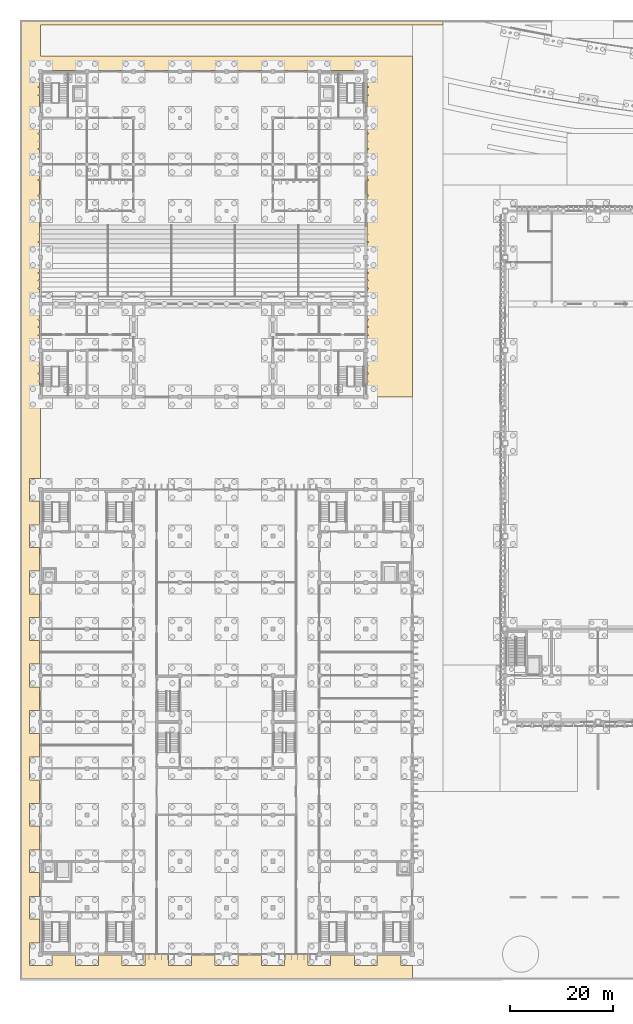
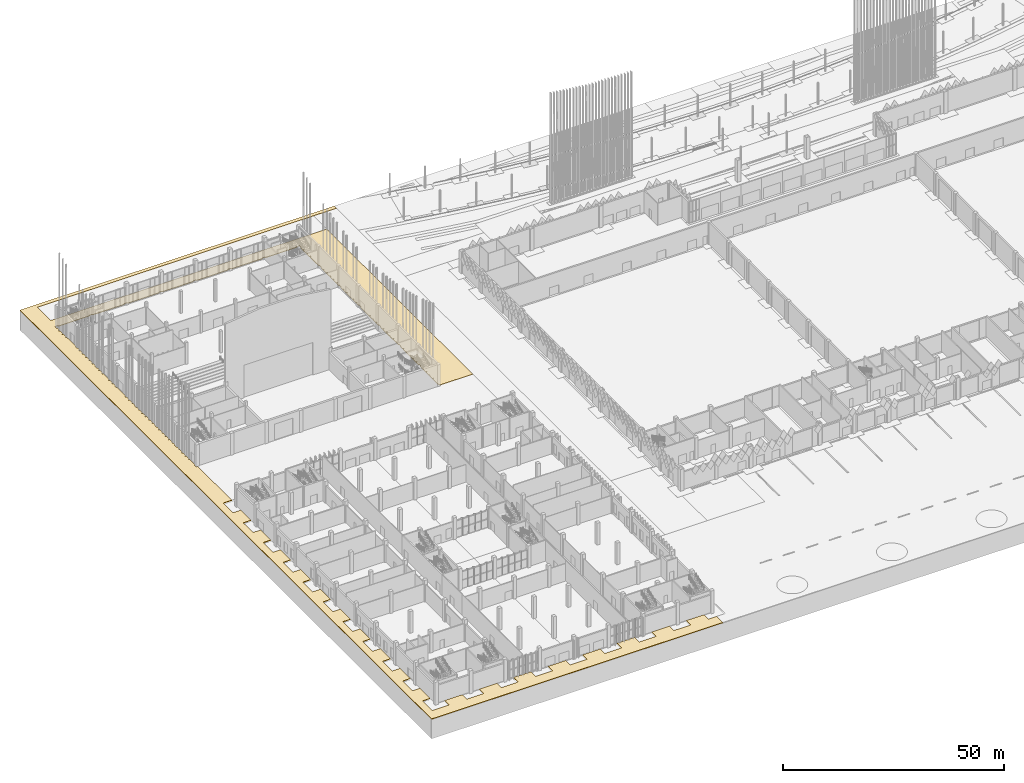
# One storey, part 146 of 198: 1 covering.
"""IFC4 building model written with IfcOpenShell, lengths in metres."""

from ifc_helpers import new_model, si_unit, direction, frame, origin, place, context, subcontext, project, spatial, polyline, outline, extrude, material, layer, layer_set, type_object, element, save


model = new_model("IFC4")

# Units and contexts
model_context = context("Model", 3, precision=1e-05, world=origin(), true_north=direction((0.0, 1.0)))
body_context = subcontext(model_context, "Body", "Model", "MODEL_VIEW")
ifc_project = project(units=[si_unit("LENGTHUNIT", "METRE"), si_unit("AREAUNIT", "SQUARE_METRE"), si_unit("VOLUMEUNIT", "CUBIC_METRE"), si_unit("PLANEANGLEUNIT", "RADIAN"), si_unit("MASSUNIT", "GRAM", prefix="KILO")], contexts=[model_context])

# Site, building, storey
site_placement = place(None, origin())
site = spatial("IfcSite", under=ifc_project, at=site_placement, CompositionType="ELEMENT")
building_placement = place(site_placement, origin())
building = spatial("IfcBuilding", under=site, at=building_placement, Name="Opaline Strait Convention Centre", CompositionType="ELEMENT")
storey_placement = place(building_placement, origin())
storey = spatial("IfcBuildingStorey", under=building, at=storey_placement, Name="L00", CompositionType="ELEMENT", Elevation=0.0)

# Covering
ifc_material = material(Name="Concrete C30 exposed aggregate", Category="concrete")
ifc_layer = layer(ifc_material, 0.14990234375)
ifc_layer_set = layer_set([ifc_layer], Name="Concrete C30 exposed aggregate")
covering_type = type_object("IfcCoveringType", Name="Site paving 150", PredefinedType="FLOORING", material=ifc_layer_set)
covering_placement = place(storey_placement, frame((0.0, 0.0, -0.14990234375)))
element("IfcCovering", 1, at=covering_placement, inside=storey, type_object=covering_type, Name="Site paving surfacing", PredefinedType="FLOORING", context=body_context, shape_type="SweptSolid", body=[
    extrude(outline(polyline([(87.0, 190.0), (5.0, 190.0), (5.0, 4.0), (81.0, 4.0), (81.0, 6.794921875), (78.794921875, 6.794921875), (78.794921875, 8.794921875), (74.205078125, 8.794921875), (74.205078125, 6.794921875), (69.794921875, 6.794921875), (69.794921875, 8.794921875), (65.205078125, 8.794921875), (65.205078125, 6.794921875), (60.794921875, 6.794921875), (60.794921875, 8.89501953125), (56.205078125, 8.89501953125), (56.205078125, 6.794921875), (51.794921875, 6.794921875), (51.794921875, 8.794921875), (47.205078125, 8.794921875), (47.205078125, 6.794921875), (42.794921875, 6.794921875), (42.794921875, 8.794921875), (38.205078125, 8.794921875), (38.205078125, 6.794921875), (33.794921875, 6.794921875), (33.794921875, 8.89501953125), (29.205078125, 8.89501953125), (29.205078125, 6.794921875), (24.794921875, 6.794921875), (24.794921875, 8.794921875), (20.205078125, 8.794921875), (20.205078125, 6.794921875), (15.794921875, 6.794921875), (15.794921875, 8.794921875), (11.205078125, 8.794921875), (11.205078125, 6.794921875), (6.794921875, 6.794921875), (6.794921875, 11.205078125), (8.794921875, 11.205078125), (8.794921875, 15.794921875), (6.794921875, 15.794921875), (6.794921875, 20.205078125), (8.794921875, 20.205078125), (8.794921875, 24.794921875), (6.794921875, 24.794921875), (6.794921875, 29.205078125), (8.794921875, 29.205078125), (8.794921875, 33.794921875), (6.794921875, 33.794921875), (6.794921875, 38.205078125), (8.794921875, 38.205078125), (8.794921875, 42.794921875), (6.794921875, 42.794921875), (6.794921875, 47.205078125), (8.794921875, 47.205078125), (8.794921875, 51.794921875), (6.794921875, 51.794921875), (6.794921875, 56.205078125), (8.794921875, 56.205078125), (8.794921875, 60.794921875), (6.794921875, 60.794921875), (6.794921875, 65.205078125), (8.794921875, 65.205078125), (8.794921875, 69.794921875), (6.794921875, 69.794921875), (6.794921875, 74.205078125), (8.794921875, 74.205078125), (8.794921875, 78.794921875), (6.794921875, 78.794921875), (6.794921875, 83.205078125), (8.794921875, 83.205078125), (8.794921875, 87.794921875), (6.794921875, 87.794921875), (6.794921875, 92.205078125), (8.794921875, 92.205078125), (8.794921875, 96.794921875), (6.794921875, 96.794921875), (6.794921875, 101.205078125), (9.0, 101.205078125), (9.0, 116.594970703125), (8.594970703125, 116.594970703125), (8.594970703125, 117.405029296875), (8.794921875, 117.405029296875), (8.794921875, 119.919921875), (8.4951171875, 119.919921875), (8.4951171875, 120.080078125), (8.794921875, 120.080078125), (8.794921875, 121.419921875), (8.4951171875, 121.419921875), (8.4951171875, 121.580078125), (8.794921875, 121.580078125), (8.794921875, 122.919921875), (8.4951171875, 122.919921875), (8.4951171875, 123.080078125), (8.794921875, 123.080078125), (8.794921875, 124.419921875), (8.4951171875, 124.419921875), (8.4951171875, 124.580078125), (8.794921875, 124.580078125), (8.794921875, 125.594970703125), (8.594970703125, 125.594970703125), (8.594970703125, 126.405029296875), (8.794921875, 126.405029296875), (8.794921875, 127.419921875), (8.4951171875, 127.419921875), (8.4951171875, 127.580078125), (8.794921875, 127.580078125), (8.794921875, 128.919921875), (8.4951171875, 128.919921875), (8.4951171875, 129.080078125), (8.794921875, 129.080078125), (8.794921875, 130.419921875), (8.4951171875, 130.419921875), (8.4951171875, 130.580078125), (8.794921875, 130.580078125), (8.794921875, 131.919921875), (8.4951171875, 131.919921875), (8.4951171875, 132.080078125), (8.794921875, 132.080078125), (8.794921875, 133.419921875), (8.4951171875, 133.419921875), (8.4951171875, 133.580078125), (8.794921875, 133.580078125), (8.794921875, 134.594970703125), (8.594970703125, 134.594970703125), (8.594970703125, 135.405029296875), (8.794921875, 135.405029296875), (8.794921875, 136.419921875), (8.4951171875, 136.419921875), (8.4951171875, 136.580078125), (8.794921875, 136.580078125), (8.794921875, 137.919921875), (8.4951171875, 137.919921875), (8.4951171875, 138.080078125), (8.794921875, 138.080078125), (8.794921875, 139.419921875), (8.4951171875, 139.419921875), (8.4951171875, 139.580078125), (8.794921875, 139.580078125), (8.794921875, 140.919921875), (8.4951171875, 140.919921875), (8.4951171875, 141.080078125), (8.794921875, 141.080078125), (8.794921875, 142.419921875), (8.4951171875, 142.419921875), (8.4951171875, 142.580078125), (8.794921875, 142.580078125), (8.794921875, 143.594970703125), (8.594970703125, 143.594970703125), (8.594970703125, 144.405029296875), (8.794921875, 144.405029296875), (8.794921875, 145.419921875), (8.4951171875, 145.419921875), (8.4951171875, 145.580078125), (8.794921875, 145.580078125), (8.794921875, 146.919921875), (8.4951171875, 146.919921875), (8.4951171875, 147.080078125), (8.794921875, 147.080078125), (8.794921875, 148.419921875), (8.4951171875, 148.419921875), (8.4951171875, 148.580078125), (8.794921875, 148.580078125), (8.794921875, 152.594970703125), (8.594970703125, 152.594970703125), (8.594970703125, 153.405029296875), (8.794921875, 153.405029296875), (8.794921875, 154.419921875), (8.4951171875, 154.419921875), (8.4951171875, 154.580078125), (8.794921875, 154.580078125), (8.794921875, 155.919921875), (8.4951171875, 155.919921875), (8.4951171875, 156.080078125), (8.794921875, 156.080078125), (8.794921875, 158.919921875), (8.4951171875, 158.919921875), (8.4951171875, 159.080078125), (8.794921875, 159.080078125), (8.794921875, 160.419921875), (8.4951171875, 160.419921875), (8.4951171875, 160.580078125), (8.794921875, 160.580078125), (8.794921875, 161.594970703125), (8.594970703125, 161.594970703125), (8.594970703125, 162.405029296875), (8.794921875, 162.405029296875), (8.794921875, 163.419921875), (8.4951171875, 163.419921875), (8.4951171875, 163.580078125), (8.794921875, 163.580078125), (8.794921875, 164.919921875), (8.4951171875, 164.919921875), (8.4951171875, 165.080078125), (8.794921875, 165.080078125), (8.794921875, 166.419921875), (8.4951171875, 166.419921875), (8.4951171875, 166.580078125), (8.794921875, 166.580078125), (8.794921875, 167.919921875), (8.4951171875, 167.919921875), (8.4951171875, 168.080078125), (8.794921875, 168.080078125), (8.794921875, 169.419921875), (8.4951171875, 169.419921875), (8.4951171875, 169.580078125), (8.794921875, 169.580078125), (8.794921875, 170.594970703125), (8.594970703125, 170.594970703125), (8.594970703125, 171.405029296875), (8.794921875, 171.405029296875), (8.794921875, 175.419921875), (8.4951171875, 175.419921875), (8.4951171875, 175.580078125), (8.794921875, 175.580078125), (8.794921875, 176.919921875), (8.4951171875, 176.919921875), (8.4951171875, 177.080078125), (8.794921875, 177.080078125), (8.794921875, 178.419921875), (8.4951171875, 178.419921875), (8.4951171875, 178.580078125), (8.794921875, 178.580078125), (8.794921875, 179.594970703125), (8.594970703125, 179.594970703125), (8.594970703125, 180.405029296875), (9.405029296875, 180.405029296875), (9.405029296875, 180.205078125), (17.594970703125, 180.205078125), (17.594970703125, 180.405029296875), (18.405029296875, 180.405029296875), (18.405029296875, 180.205078125), (26.594970703125, 180.205078125), (26.594970703125, 180.405029296875), (27.405029296875, 180.405029296875), (27.405029296875, 180.205078125), (35.594970703125, 180.205078125), (35.594970703125, 180.405029296875), (36.405029296875, 180.405029296875), (36.405029296875, 180.205078125), (44.594970703125, 180.205078125), (44.594970703125, 180.405029296875), (45.405029296875, 180.405029296875), (45.405029296875, 180.205078125), (53.594970703125, 180.205078125), (53.594970703125, 180.405029296875), (54.405029296875, 180.405029296875), (54.405029296875, 180.205078125), (62.594970703125, 180.205078125), (62.594970703125, 180.405029296875), (63.405029296875, 180.405029296875), (63.405029296875, 180.205078125), (71.594970703125, 180.205078125), (71.594970703125, 180.405029296875), (72.405029296875, 180.405029296875), (72.405029296875, 179.594970703125), (72.205078125, 179.594970703125), (72.205078125, 178.580078125), (72.5048828125, 178.580078125), (72.5048828125, 178.419921875), (72.205078125, 178.419921875), (72.205078125, 177.080078125), (72.5048828125, 177.080078125), (72.5048828125, 176.919921875), (72.205078125, 176.919921875), (72.205078125, 175.580078125), (72.5048828125, 175.580078125), (72.5048828125, 175.419921875), (72.205078125, 175.419921875), (72.205078125, 171.405029296875), (72.405029296875, 171.405029296875), (72.405029296875, 170.594970703125), (72.205078125, 170.594970703125), (72.205078125, 169.580078125), (72.5048828125, 169.580078125), (72.5048828125, 169.419921875), (72.205078125, 169.419921875), (72.205078125, 168.080078125), (72.5048828125, 168.080078125), (72.5048828125, 167.919921875), (72.205078125, 167.919921875), (72.205078125, 166.580078125), (72.5048828125, 166.580078125), (72.5048828125, 166.419921875), (72.205078125, 166.419921875), (72.205078125, 165.080078125), (72.5048828125, 165.080078125), (72.5048828125, 164.919921875), (72.205078125, 164.919921875), (72.205078125, 163.580078125), (72.5048828125, 163.580078125), (72.5048828125, 163.419921875), (72.205078125, 163.419921875), (72.205078125, 162.405029296875), (72.405029296875, 162.405029296875), (72.405029296875, 161.594970703125), (72.205078125, 161.594970703125), (72.205078125, 160.580078125), (72.5048828125, 160.580078125), (72.5048828125, 160.419921875), (72.205078125, 160.419921875), (72.205078125, 159.080078125), (72.5048828125, 159.080078125), (72.5048828125, 158.919921875), (72.205078125, 158.919921875), (72.205078125, 156.080078125), (72.5048828125, 156.080078125), (72.5048828125, 155.919921875), (72.205078125, 155.919921875), (72.205078125, 154.580078125), (72.5048828125, 154.580078125), (72.5048828125, 154.419921875), (72.205078125, 154.419921875), (72.205078125, 153.405029296875), (72.405029296875, 153.405029296875), (72.405029296875, 152.594970703125), (72.205078125, 152.594970703125), (72.205078125, 148.580078125), (72.5048828125, 148.580078125), (72.5048828125, 148.419921875), (72.205078125, 148.419921875), (72.205078125, 147.080078125), (72.5048828125, 147.080078125), (72.5048828125, 146.919921875), (72.205078125, 146.919921875), (72.205078125, 145.580078125), (72.5048828125, 145.580078125), (72.5048828125, 145.419921875), (72.205078125, 145.419921875), (72.205078125, 144.405029296875), (72.405029296875, 144.405029296875), (72.405029296875, 143.594970703125), (72.205078125, 143.594970703125), (72.205078125, 142.580078125), (72.5048828125, 142.580078125), (72.5048828125, 142.419921875), (72.205078125, 142.419921875), (72.205078125, 141.080078125), (72.5048828125, 141.080078125), (72.5048828125, 140.919921875), (72.205078125, 140.919921875), (72.205078125, 139.580078125), (72.5048828125, 139.580078125), (72.5048828125, 139.419921875), (72.205078125, 139.419921875), (72.205078125, 138.080078125), (72.5048828125, 138.080078125), (72.5048828125, 137.919921875), (72.205078125, 137.919921875), (72.205078125, 136.580078125), (72.5048828125, 136.580078125), (72.5048828125, 136.419921875), (72.205078125, 136.419921875), (72.205078125, 135.405029296875), (72.405029296875, 135.405029296875), (72.405029296875, 134.594970703125), (72.205078125, 134.594970703125), (72.205078125, 133.580078125), (72.5048828125, 133.580078125), (72.5048828125, 133.419921875), (72.205078125, 133.419921875), (72.205078125, 132.080078125), (72.5048828125, 132.080078125), (72.5048828125, 131.919921875), (72.205078125, 131.919921875), (72.205078125, 130.580078125), (72.5048828125, 130.580078125), (72.5048828125, 130.419921875), (72.205078125, 130.419921875), (72.205078125, 129.080078125), (72.5048828125, 129.080078125), (72.5048828125, 128.919921875), (72.205078125, 128.919921875), (72.205078125, 127.580078125), (72.5048828125, 127.580078125), (72.5048828125, 127.419921875), (72.205078125, 127.419921875), (72.205078125, 126.405029296875), (72.405029296875, 126.405029296875), (72.405029296875, 125.594970703125), (72.205078125, 125.594970703125), (72.205078125, 124.580078125), (72.5048828125, 124.580078125), (72.5048828125, 124.419921875), (72.205078125, 124.419921875), (72.205078125, 123.080078125), (72.5048828125, 123.080078125), (72.5048828125, 122.919921875), (72.205078125, 122.919921875), (72.205078125, 121.580078125), (72.5048828125, 121.580078125), (72.5048828125, 121.419921875), (72.205078125, 121.419921875), (72.205078125, 120.080078125), (72.5048828125, 120.080078125), (72.5048828125, 119.919921875), (72.205078125, 119.919921875), (72.205078125, 117.405029296875), (72.405029296875, 117.405029296875), (72.405029296875, 117.0), (81.0, 117.0), (81.0, 183.0), (9.0, 183.0), (9.0, 189.0), (81.0, 189.0), (87.0, 189.0), (87.0, 190.0)])), origin(), (0.0, 0.0, 1.0), 0.14990234375),
])

save(model, "model.ifc")
